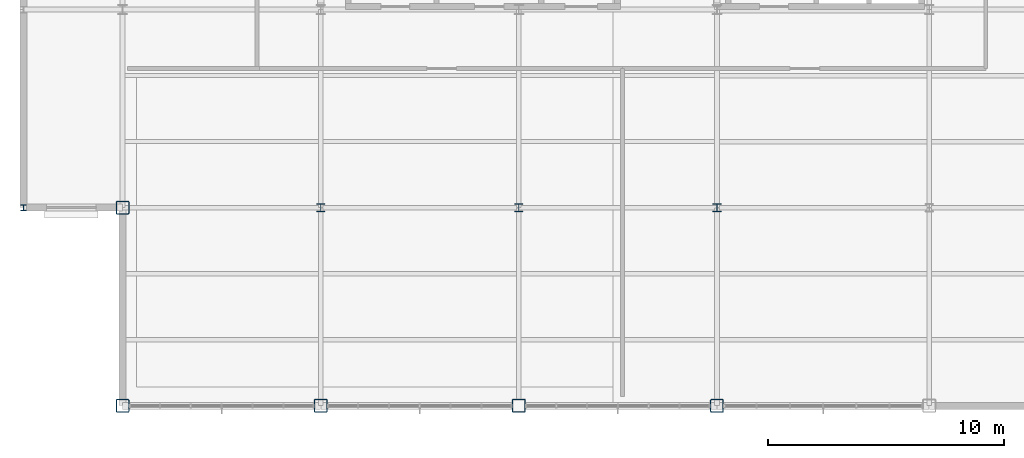
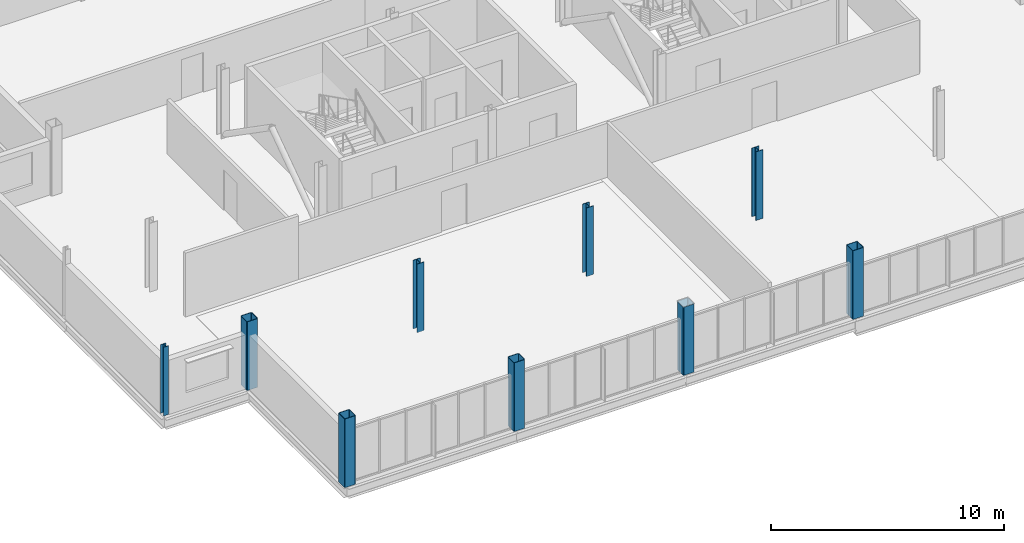
# One storey, part 1 of 18: 9 columns.
"""IFC4 building model written with IfcOpenShell, lengths in metres."""

import ifcopenshell
import ifcopenshell.guid

model = None  # the IFC model being written
_history = None  # IfcOwnerHistory: only IFC2X3 demands one
_inside = {}  # id of a spatial element -> (the spatial element, [elements in it])
_under = {}  # id of a project, library or spatial element -> (it, [spatial elements below it])
_declared = {}  # id of a project -> (the project, [libraries it declares])
_typed = {}  # id of a type object -> (the type object, [elements of that type])
_made_of = {}  # id of a material, layer set ... -> (it, [elements and type objects made of it])


def new_model(schema):
    """Start an empty IFC model of exactly this schema.

    Asked for "IFC4X3", IfcOpenShell would pick the latest addendum, in which some entities
    have other attributes; the version numbers below select the first issue.
    IFC2X3 requires an IfcOwnerHistory on every rooted entity: one is made here for all.
    """
    global model, _history
    if schema == "IFC4X3":
        model = ifcopenshell.file(schema_version=(4, 3, 0, 0))
    else:
        model = ifcopenshell.file(schema=schema)
    _inside.clear()
    _under.clear()
    _declared.clear()
    _typed.clear()
    _made_of.clear()
    _history = None
    if model.schema == "IFC2X3":
        org = make("IfcOrganization", Name="unknown")
        user = make(
            "IfcPersonAndOrganization",
            ThePerson=make("IfcPerson", FamilyName="unknown"),
            TheOrganization=org,
        )
        app = make(
            "IfcApplication",
            ApplicationDeveloper=org,
            Version="unknown",
            ApplicationFullName="unknown",
            ApplicationIdentifier="unknown",
        )
        _history = make(
            "IfcOwnerHistory",
            OwningUser=user,
            OwningApplication=app,
            ChangeAction="ADDED",
            CreationDate=0,
        )
    return model


def make(cls, **values):
    """One entity of the class cls with the attributes given. An attribute that is None is left unset."""
    return model.create_entity(
        cls, **{name: value for name, value in values.items() if value is not None}
    )


def rooted(cls, **values):
    """An entity with a GlobalId (a new one), such as an element, a storey or a relation."""
    return make(cls, GlobalId=ifcopenshell.guid.new(), OwnerHistory=_history, **values)


def si_unit(unit_type, name, prefix=None):
    """IfcSIUnit, for example si_unit("LENGTHUNIT", "METRE", prefix="MILLI")."""
    return make("IfcSIUnit", UnitType=unit_type, Prefix=prefix, Name=name)


def assignment(units):
    """IfcUnitAssignment: the units of a project."""
    return None if units is None else make("IfcUnitAssignment", Units=units)


def point(xyz):
    """IfcCartesianPoint."""
    return None if xyz is None else make("IfcCartesianPoint", Coordinates=xyz)


def direction(xyz):
    """IfcDirection."""
    return None if xyz is None else make("IfcDirection", DirectionRatios=xyz)


def frame(location, z_axis=None, x_axis=None):
    """IfcAxis2Placement3D, a coordinate frame: its origin and axes. An axis left out is left unset."""
    return make(
        "IfcAxis2Placement3D",
        Location=point(location),
        Axis=direction(z_axis),
        RefDirection=direction(x_axis),
    )


def frame_2d(location, x_axis=None):
    """IfcAxis2Placement2D, a coordinate frame in the plane: its origin and x axis."""
    return make(
        "IfcAxis2Placement2D", Location=point(location), RefDirection=direction(x_axis)
    )


def origin():
    """The frame at (0, 0, 0) with its axes left unset."""
    return frame((0.0, 0.0, 0.0))


def origin_2d():
    """The frame at (0, 0) in the plane with its x axis left unset."""
    return frame_2d((0.0, 0.0))


def place(relative_to, where):
    """IfcLocalPlacement: puts the frame where relative to a parent placement (None: the world)."""
    return make(
        "IfcLocalPlacement", PlacementRelTo=relative_to, RelativePlacement=where
    )


def context(
    kind, dimensions, precision=None, world=None, true_north=None, identifier=None
):
    """IfcGeometricRepresentationContext, for example the 3D "Model" context."""
    return make(
        "IfcGeometricRepresentationContext",
        ContextIdentifier=identifier,
        ContextType=kind,
        CoordinateSpaceDimension=dimensions,
        Precision=precision,
        WorldCoordinateSystem=world,
        TrueNorth=true_north,
    )


def subcontext(parent, identifier, kind, view, scale=None):
    """IfcGeometricRepresentationSubContext, for example "Body" below "Model"."""
    return make(
        "IfcGeometricRepresentationSubContext",
        ContextIdentifier=identifier,
        ContextType=kind,
        ParentContext=parent,
        TargetScale=scale,
        TargetView=view,
    )


def project(units=None, contexts=None):
    """IfcProject with its units and contexts."""
    return rooted(
        "IfcProject",
        Name="project",
        RepresentationContexts=contexts,
        UnitsInContext=assignment(units),
    )


def spatial(cls, under=None, at=None, **own):
    """A site, building, storey or space (cls), placed at a placement, below another one or the project."""
    s = rooted(cls, ObjectPlacement=at, **own)
    if under is not None:
        _under.setdefault(under.id(), (under, []))[1].append(s)
    return s


def profile(cls, at=None, kind="AREA", **sizes):
    """A parametric profile (cls). Its sizes go by their IFC names, for example OverallWidth=200.0."""
    return make(cls, ProfileType=kind, Position=at, **sizes)


def hollow_rectangle(**sizes):
    """IfcRectangleHollowProfileDef."""
    return profile("IfcRectangleHollowProfileDef", **sizes)


def i_section(**sizes):
    """IfcIShapeProfileDef."""
    return profile("IfcIShapeProfileDef", **sizes)


def extrude(swept, where, along, depth):
    """IfcExtrudedAreaSolid: the profile swept, set in the frame where, extruded along a direction by depth."""
    return make(
        "IfcExtrudedAreaSolid",
        SweptArea=swept,
        Position=where,
        ExtrudedDirection=direction(along),
        Depth=depth,
    )


def shape(context_of_items, identifier, shape_type, items):
    """IfcShapeRepresentation: the items that make up one representation, for example the "Body"."""
    return make(
        "IfcShapeRepresentation",
        ContextOfItems=context_of_items,
        RepresentationIdentifier=identifier,
        RepresentationType=shape_type,
        Items=items,
    )


def material(Name=None, Category=None):
    """IfcMaterial."""
    return make("IfcMaterial", Name=Name, Category=Category)


def material_profile(
    of_material, cross_section, Name=None, Category=None, Priority=None
):
    """IfcMaterialProfile: a cross section and its material."""
    return make(
        "IfcMaterialProfile",
        Name=Name,
        Material=of_material,
        Profile=cross_section,
        Priority=Priority,
        Category=Category,
    )


def profile_set(profiles, Name=None, composite=None):
    """IfcMaterialProfileSet."""
    return make(
        "IfcMaterialProfileSet",
        Name=Name,
        MaterialProfiles=profiles,
        CompositeProfile=composite,
    )


def made_of(thing, what):
    """Note that an element or type object is made of a material, layer set ...; save() writes the relation."""
    if what is not None:
        _made_of.setdefault(what.id(), (what, []))[1].append(thing)
    return thing


def type_object(cls, material=None, **own):
    """A type object (cls), such as IfcWallType, which elements share."""
    return made_of(rooted(cls, **own), material)


def element(
    cls,
    number,
    at=None,
    inside=None,
    cuts=None,
    type_object=None,
    material=None,
    context=None,
    identifier="Body",
    shape_type=None,
    held_by="IfcProductDefinitionShape",
    body=None,
    shapes=None,
    **own,
):
    """One element of the class cls, such as IfcWall. Its Tag is "e" and its number.

    at: its placement. inside: the storey or other place that contains it. cuts: it is an
    opening in that element (IfcRelVoidsElement). A single representation is given by context,
    identifier, shape_type and body (its items); several are given by shapes. held_by: the class
    of the entity that holds the representations. save() writes the other relations.
    """
    e = rooted(cls, Tag="e%d" % number, ObjectPlacement=at, **own)
    if body is not None:
        shapes = [shape(context, identifier, shape_type, body)]
    if shapes is not None:
        e.Representation = make(held_by, Representations=shapes)
    if inside is not None:
        _inside.setdefault(inside.id(), (inside, []))[1].append(e)
    if cuts is not None:
        rooted(
            "IfcRelVoidsElement", RelatingBuildingElement=cuts, RelatedOpeningElement=e
        )
    if type_object is not None:
        _typed.setdefault(type_object.id(), (type_object, []))[1].append(e)
    return made_of(e, material)


def aggregate(whole, parts):
    """IfcRelAggregates: a whole, such as a stair, and the parts it consists of."""
    return rooted("IfcRelAggregates", RelatingObject=whole, RelatedObjects=parts)


def save(model, path):
    """Write the relations noted so far, then the file.

    IfcRelAggregates (storeys below a building ...), IfcRelContainedInSpatialStructure (elements
    in a storey), IfcRelDefinesByType, IfcRelAssociatesMaterial and IfcRelDeclares: one each for
    every whole, place, type object, material and project.
    """
    for whole, parts in _under.values():
        aggregate(whole, parts)
    for where, things in _inside.values():
        rooted(
            "IfcRelContainedInSpatialStructure",
            RelatedElements=things,
            RelatingStructure=where,
        )
    for kind, things in _typed.values():
        rooted("IfcRelDefinesByType", RelatedObjects=things, RelatingType=kind)
    for what, things in _made_of.values():
        rooted("IfcRelAssociatesMaterial", RelatedObjects=things, RelatingMaterial=what)
    for by, libraries in _declared.values():
        rooted("IfcRelDeclares", RelatingContext=by, RelatedDefinitions=libraries)
    model.write(path)


model = new_model("IFC4")

# Units and contexts
model_context = context("Model", 3, precision=1e-05, world=origin(), true_north=direction((0.0, 1.0)))
body_context = subcontext(model_context, "Body", "Model", "MODEL_VIEW")
ifc_project = project(units=[si_unit("LENGTHUNIT", "METRE"), si_unit("AREAUNIT", "SQUARE_METRE"), si_unit("VOLUMEUNIT", "CUBIC_METRE"), si_unit("PLANEANGLEUNIT", "RADIAN"), si_unit("MASSUNIT", "GRAM", prefix="KILO")], contexts=[model_context])

# Site, building, storey
site_placement = place(None, origin())
site = spatial("IfcSite", under=ifc_project, at=site_placement, CompositionType="ELEMENT")
building_placement = place(site_placement, origin())
building = spatial("IfcBuilding", under=site, at=building_placement, Name="Yukiwa Park Conservatory and Herbarium", CompositionType="ELEMENT")
storey_placement = place(building_placement, frame((0.0, 0.0, 24.60009765625)))
storey = spatial("IfcBuildingStorey", under=building, at=storey_placement, Name="L06", CompositionType="ELEMENT", Elevation=24.60009765625)

# Columns
ifc_material_1 = material(Name="Steel Q355D", Category="steel")
ifc_material_profile_1 = material_profile(ifc_material_1, i_section(OverallWidth=0.25, OverallDepth=0.25, WebThickness=0.009033203125, FlangeThickness=0.013916015625, FilletRadius=0.01611328125, at=origin_2d()), Name="HW 250x250x9x14")
ifc_profile_set_1 = profile_set([ifc_material_profile_1], Name="Steel Q355D")
column_type_1 = type_object("IfcColumnType", Name="COL-SB-HW250", PredefinedType="COLUMN", material=ifc_profile_set_1)
column_1_placement = place(storey_placement, frame((120.60009765625, 86.39990234375, 0.0), z_axis=(0.0, 0.0, 1.0), x_axis=(1.0, 0.0, 0.0)))
element("IfcColumn", 1, at=column_1_placement, inside=storey, type_object=column_type_1, Name="L06 column V5SB1-X1206-Y864", PredefinedType="COLUMN", context=body_context, shape_type="SweptSolid", body=[
    extrude(i_section(OverallWidth=0.25, OverallDepth=0.25, WebThickness=0.009033203125, FlangeThickness=0.013916015625, FilletRadius=0.01611328125, at=origin_2d()), origin(), (0.0, 0.0, 1.0), 3.599853515625),
])
ifc_material_2 = material(Name="Steel Q355D", Category="steel")
ifc_material_profile_2 = material_profile(ifc_material_2, hollow_rectangle(XDim=0.550048828125, YDim=0.550048828125, WallThickness=0.02197265625, InnerFilletRadius=0.02197265625, OuterFilletRadius=0.0439453125, at=origin_2d()), Name="BOX 550x550x22")
ifc_profile_set_2 = profile_set([ifc_material_profile_2], Name="Steel Q355D")
column_type_2 = type_object("IfcColumnType", Name="COL-TW-BOX550-EXT", PredefinedType="COLUMN", material=ifc_profile_set_2)
for number, where, z_axis, x_axis, name in (
    (2, (124.800048828125, 78.0, 0.0), (0.0, 0.0, 1.0), (1.0, 0.0, 0.0), "L06 column V5-X1248-Y780"),
    (3, (124.800048828125, 86.39990234375, 0.0), (0.0, 0.0, 1.0), (1.0, 0.0, 0.0), "L06 column V5-X1248-Y864"),
    (4, (133.199951171875, 78.0, 0.0), (0.0, 0.0, 1.0), (1.0, 0.0, 0.0), "L06 column V5-X1332-Y780"),
):
    element("IfcColumn", number, at=place(storey_placement, frame(where, z_axis=z_axis, x_axis=x_axis)), inside=storey, type_object=column_type_2, Name=name, PredefinedType="COLUMN", context=body_context, shape_type="SweptSolid", body=[
        extrude(hollow_rectangle(XDim=0.550048828125, YDim=0.550048828125, WallThickness=0.02197265625, InnerFilletRadius=0.02197265625, OuterFilletRadius=0.0439453125, at=origin_2d()), origin(), (0.0, 0.0, 1.0), 3.599853515625),
    ])
column_2_placement = place(storey_placement, frame((141.60009765625, 78.0, 0.0), z_axis=(0.0, 0.0, 1.0), x_axis=(1.0, 0.0, 0.0)))
element("IfcColumn", 5, at=column_2_placement, inside=storey, type_object=column_type_2, Name="L06 column V5-X1416-Y780", PredefinedType="COLUMN", context=body_context, shape_type="SweptSolid", body=[
    extrude(hollow_rectangle(XDim=0.550048828125, YDim=0.550048828125, WallThickness=0.02197265625, InnerFilletRadius=0.02197265625, OuterFilletRadius=0.0439453125, at=origin_2d()), origin(), (0.0, 0.0, 1.0), 3.575927734375),
])
column_3_placement = place(storey_placement, frame((150.0, 78.0, 0.0), z_axis=(0.0, 0.0, 1.0), x_axis=(1.0, 0.0, 0.0)))
element("IfcColumn", 6, at=column_3_placement, inside=storey, type_object=column_type_2, Name="L06 column V5-X1500-Y780", PredefinedType="COLUMN", context=body_context, shape_type="SweptSolid", body=[
    extrude(hollow_rectangle(XDim=0.550048828125, YDim=0.550048828125, WallThickness=0.02197265625, InnerFilletRadius=0.02197265625, OuterFilletRadius=0.0439453125, at=origin_2d()), origin(), (0.0, 0.0, 1.0), 3.599853515625),
])
ifc_material_3 = material(Name="Steel Q355D", Category="steel")
ifc_material_profile_3 = material_profile(ifc_material_3, i_section(OverallWidth=0.35009765625, OverallDepth=0.35009765625, WebThickness=0.011962890625, FlangeThickness=0.01904296875, FilletRadius=0.02001953125, at=origin_2d()), Name="HW 350x350x12x19")
ifc_profile_set_3 = profile_set([ifc_material_profile_3], Name="Steel Q355D")
column_type_3 = type_object("IfcColumnType", Name="COL-TW-HW350", PredefinedType="COLUMN", material=ifc_profile_set_3)
for number, where, z_axis, x_axis, name in (
    (7, (133.199951171875, 86.39990234375, 0.0), (0.0, 0.0, 1.0), (1.0, 0.0, 0.0), "L06 column V5-X1332-Y864"),
    (8, (141.60009765625, 86.39990234375, 0.0), (0.0, 0.0, 1.0), (1.0, 0.0, 0.0), "L06 column V5-X1416-Y864"),
    (9, (150.0, 86.39990234375, 0.0), (0.0, 0.0, 1.0), (1.0, 0.0, 0.0), "L06 column V5-X1500-Y864"),
):
    element("IfcColumn", number, at=place(storey_placement, frame(where, z_axis=z_axis, x_axis=x_axis)), inside=storey, type_object=column_type_3, Name=name, PredefinedType="COLUMN", context=body_context, shape_type="SweptSolid", body=[
        extrude(i_section(OverallWidth=0.35009765625, OverallDepth=0.35009765625, WebThickness=0.011962890625, FlangeThickness=0.01904296875, FilletRadius=0.02001953125, at=origin_2d()), origin(), (0.0, 0.0, 1.0), 3.599853515625),
    ])

save(model, "model.ifc")
